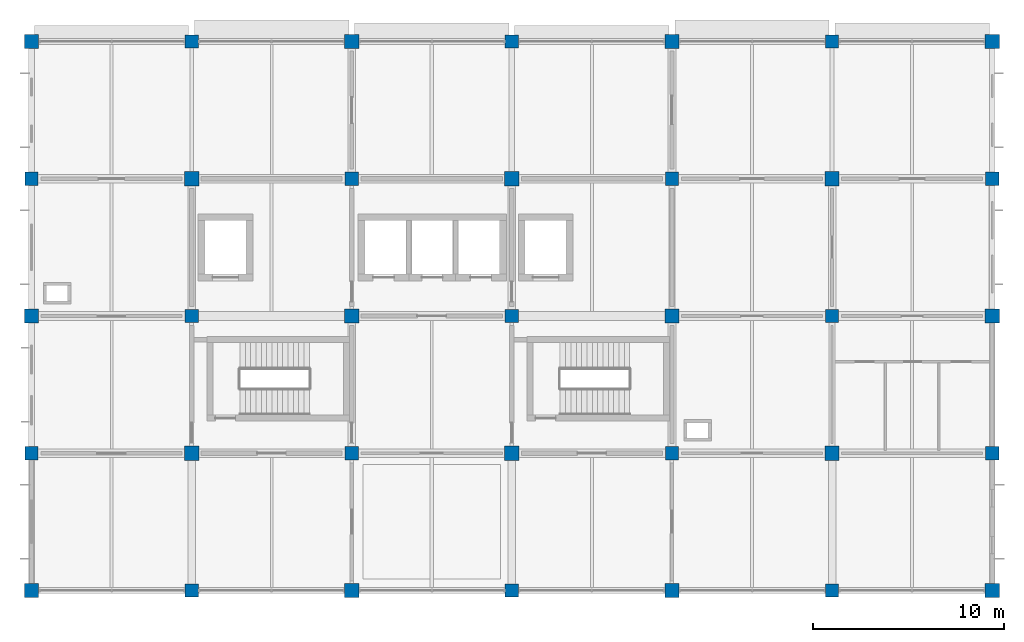
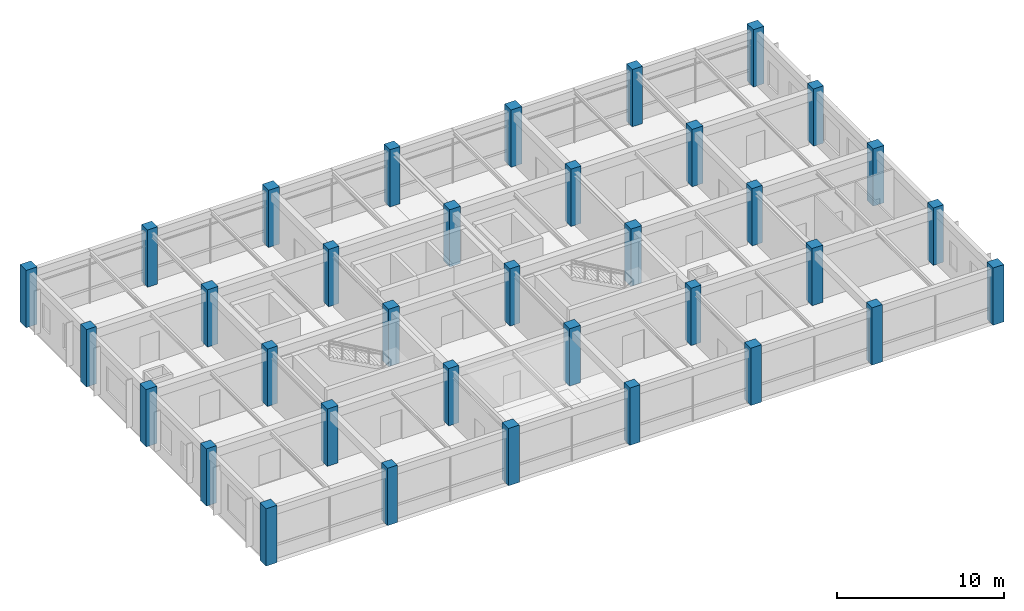
# One storey, part 1 of 13: 35 columns.
"""IFC4 building model written with IfcOpenShell, lengths in metres."""

from ifc_helpers import new_model, si_unit, derived_unit, direction, frame, origin, origin_2d, place, context, subcontext, project, spatial, rectangle, extrude, material, material_profile, profile_set, type_object, element, save


model = new_model("IFC4")

# Units and contexts
model_context = context("Model", 3, precision=1e-05, world=origin(), true_north=direction((0.0, 1.0)))
body_context = subcontext(model_context, "Body", "Model", "MODEL_VIEW")
ifc_project = project(units=[si_unit("LENGTHUNIT", "METRE"), si_unit("AREAUNIT", "SQUARE_METRE"), si_unit("VOLUMEUNIT", "CUBIC_METRE"), si_unit("PLANEANGLEUNIT", "RADIAN"), si_unit("MASSUNIT", "GRAM", prefix="KILO"), derived_unit("THERMALTRANSMITTANCEUNIT", [(si_unit("MASSUNIT", "GRAM", prefix="KILO"), 1), (si_unit("TIMEUNIT", "SECOND"), -3), (si_unit("THERMODYNAMICTEMPERATUREUNIT", "KELVIN"), -1)])], contexts=[model_context])

# Site, building, storey
site_placement = place(None, origin())
site = spatial("IfcSite", under=ifc_project, at=site_placement, CompositionType="ELEMENT")
building_placement = place(site_placement, origin())
building = spatial("IfcBuilding", under=site, at=building_placement, Name="Veldstrom Oceanarium and Marine Research Institute", CompositionType="ELEMENT")
storey_placement = place(building_placement, frame((0.0, 0.0, 31.199951171875)))
storey = spatial("IfcBuildingStorey", under=building, at=storey_placement, Name="L06", CompositionType="ELEMENT", Elevation=31.199951171875)

# Columns
ifc_material_1 = material(Name="Concrete C50/60", Category="concrete")
ifc_material_profile_1 = material_profile(ifc_material_1, rectangle(XDim=0.75, YDim=0.75, at=origin_2d()), Name="RC-COL-750x750")
ifc_profile_set_1 = profile_set([ifc_material_profile_1], Name="Concrete C50/60")
column_type_1 = type_object("IfcColumnType", Name="STR-COL-C05", PredefinedType="COLUMN", material=ifc_profile_set_1)
for number, where, z_axis, x_axis, name in (
    (1, (67.199951171875, 43.199951171875, 0.0), (0.0, 0.0, 1.0), (1.0, 0.0, 0.0), "Column C05 9/G L06"),
    (2, (67.199951171875, 57.60009765625, 0.0), (0.0, 0.0, 1.0), (1.0, 0.0, 0.0), "Column C05 9/J L06"),
    (3, (67.199951171875, 72.0, 0.0), (0.0, 0.0, 1.0), (1.0, 0.0, 0.0), "Column C05 9/L L06"),
    (4, (75.60009765625, 50.39990234375, 0.0), (0.0, 0.0, 1.0), (1.0, 0.0, 0.0), "Column C05 10/H L06"),
    (5, (75.60009765625, 64.800048828125, 0.0), (0.0, 0.0, 1.0), (1.0, 0.0, 0.0), "Column C05 10/K L06"),
    (6, (84.0, 43.199951171875, 0.0), (0.0, 0.0, 1.0), (1.0, 0.0, 0.0), "Column C05 11/G L06"),
    (7, (84.0, 57.60009765625, 0.0), (0.0, 0.0, 1.0), (1.0, 0.0, 0.0), "Column C05 11/J L06"),
    (8, (84.0, 72.0, 0.0), (0.0, 0.0, 1.0), (1.0, 0.0, 0.0), "Column C05 11/L L06"),
    (9, (92.39990234375, 50.39990234375, 0.0), (0.0, 0.0, 1.0), (1.0, 0.0, 0.0), "Column C05 12/H L06"),
    (10, (92.39990234375, 64.800048828125, 0.0), (0.0, 0.0, 1.0), (1.0, 0.0, 0.0), "Column C05 12/K L06"),
    (11, (100.800048828125, 43.199951171875, 0.0), (0.0, 0.0, 1.0), (1.0, 0.0, 0.0), "Column C05 13/G L06"),
    (12, (100.800048828125, 57.60009765625, 0.0), (0.0, 0.0, 1.0), (1.0, 0.0, 0.0), "Column C05 13/J L06"),
    (13, (100.800048828125, 72.0, 0.0), (0.0, 0.0, 1.0), (1.0, 0.0, 0.0), "Column C05 13/L L06"),
    (14, (109.199951171875, 50.39990234375, 0.0), (0.0, 0.0, 1.0), (1.0, 0.0, 0.0), "Column C05 14/H L06"),
    (15, (109.199951171875, 64.800048828125, 0.0), (0.0, 0.0, 1.0), (1.0, 0.0, 0.0), "Column C05 14/K L06"),
    (16, (117.60009765625, 43.199951171875, 0.0), (0.0, 0.0, 1.0), (1.0, 0.0, 0.0), "Column C05 15/G L06"),
    (17, (117.60009765625, 57.60009765625, 0.0), (0.0, 0.0, 1.0), (1.0, 0.0, 0.0), "Column C05 15/J L06"),
    (18, (117.60009765625, 72.0, 0.0), (0.0, 0.0, 1.0), (1.0, 0.0, 0.0), "Column C05 15/L L06"),
):
    element("IfcColumn", number, at=place(storey_placement, frame(where, z_axis=z_axis, x_axis=x_axis)), inside=storey, type_object=column_type_1, Name=name, PredefinedType="COLUMN", context=body_context, shape_type="SweptSolid", body=[
        extrude(rectangle(XDim=0.75, YDim=0.75, at=origin_2d()), origin(), (0.0, 0.0, 1.0), 4.199951171875),
    ])
ifc_material_2 = material(Name="Concrete C50/60", Category="concrete")
ifc_material_profile_2 = material_profile(ifc_material_2, rectangle(XDim=0.699951171875, YDim=0.699951171875, at=origin_2d()), Name="RC-COL-700x700")
ifc_profile_set_2 = profile_set([ifc_material_profile_2], Name="Concrete C50/60")
column_type_2 = type_object("IfcColumnType", Name="STR-COL-C06", PredefinedType="COLUMN", material=ifc_profile_set_2)
for number, where, z_axis, x_axis, name in (
    (19, (67.199951171875, 50.39990234375, 0.0), (0.0, 0.0, 1.0), (1.0, 0.0, 0.0), "Column C06 9/H L06"),
    (20, (67.199951171875, 64.800048828125, 0.0), (0.0, 0.0, 1.0), (1.0, 0.0, 0.0), "Column C06 9/K L06"),
    (21, (75.60009765625, 43.199951171875, 0.0), (0.0, 0.0, 1.0), (1.0, 0.0, 0.0), "Column C06 10/G L06"),
    (22, (75.60009765625, 57.60009765625, 0.0), (0.0, 0.0, 1.0), (1.0, 0.0, 0.0), "Column C06 10/J L06"),
    (23, (75.60009765625, 72.0, 0.0), (0.0, 0.0, 1.0), (1.0, 0.0, 0.0), "Column C06 10/L L06"),
    (24, (84.0, 50.39990234375, 0.0), (0.0, 0.0, 1.0), (1.0, 0.0, 0.0), "Column C06 11/H L06"),
    (25, (84.0, 64.800048828125, 0.0), (0.0, 0.0, 1.0), (1.0, 0.0, 0.0), "Column C06 11/K L06"),
    (26, (92.39990234375, 43.199951171875, 0.0), (0.0, 0.0, 1.0), (1.0, 0.0, 0.0), "Column C06 12/G L06"),
    (27, (92.39990234375, 57.60009765625, 0.0), (0.0, 0.0, 1.0), (1.0, 0.0, 0.0), "Column C06 12/J L06"),
    (28, (92.39990234375, 72.0, 0.0), (0.0, 0.0, 1.0), (1.0, 0.0, 0.0), "Column C06 12/L L06"),
    (29, (100.800048828125, 50.39990234375, 0.0), (0.0, 0.0, 1.0), (1.0, 0.0, 0.0), "Column C06 13/H L06"),
    (30, (100.800048828125, 64.800048828125, 0.0), (0.0, 0.0, 1.0), (1.0, 0.0, 0.0), "Column C06 13/K L06"),
    (31, (109.199951171875, 43.199951171875, 0.0), (0.0, 0.0, 1.0), (1.0, 0.0, 0.0), "Column C06 14/G L06"),
    (32, (109.199951171875, 57.60009765625, 0.0), (0.0, 0.0, 1.0), (1.0, 0.0, 0.0), "Column C06 14/J L06"),
    (33, (109.199951171875, 72.0, 0.0), (0.0, 0.0, 1.0), (1.0, 0.0, 0.0), "Column C06 14/L L06"),
    (34, (117.60009765625, 50.39990234375, 0.0), (0.0, 0.0, 1.0), (1.0, 0.0, 0.0), "Column C06 15/H L06"),
    (35, (117.60009765625, 64.800048828125, 0.0), (0.0, 0.0, 1.0), (1.0, 0.0, 0.0), "Column C06 15/K L06"),
):
    element("IfcColumn", number, at=place(storey_placement, frame(where, z_axis=z_axis, x_axis=x_axis)), inside=storey, type_object=column_type_2, Name=name, PredefinedType="COLUMN", context=body_context, shape_type="SweptSolid", body=[
        extrude(rectangle(XDim=0.699951171875, YDim=0.699951171875, at=origin_2d()), origin(), (0.0, 0.0, 1.0), 4.199951171875),
    ])

save(model, "model.ifc")
